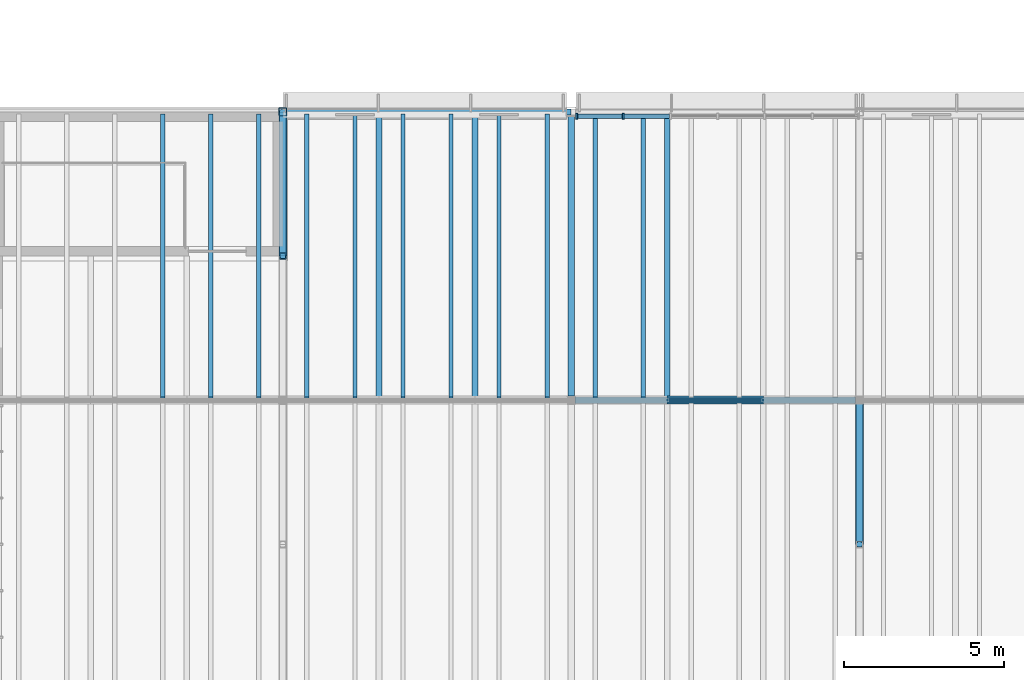
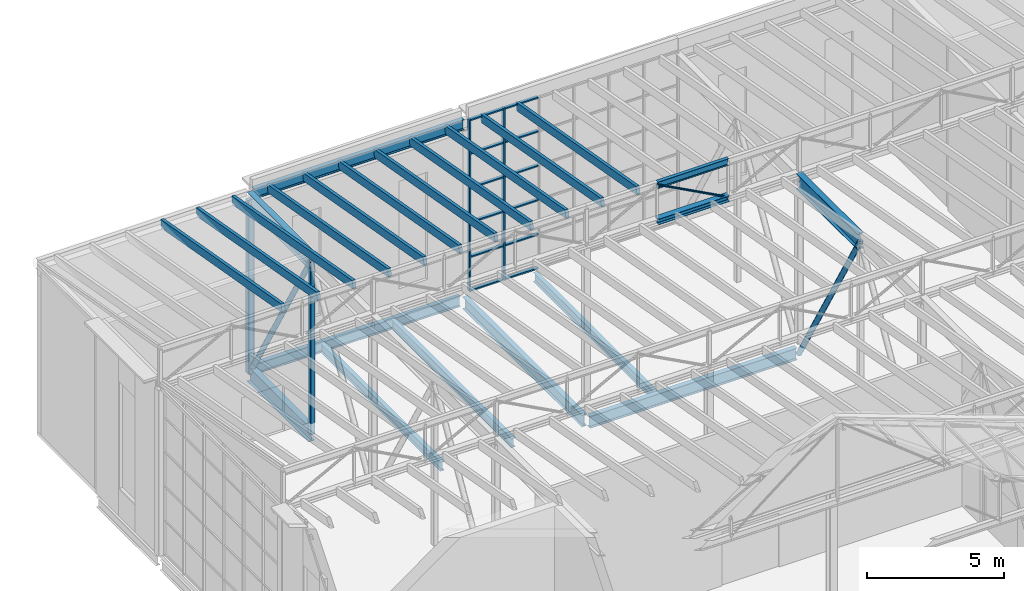
# One storey, part 43 of 90: 35 members, 7 beams, 1 element without a shape of its own.
"""IFC4 building model written with IfcOpenShell, lengths in metres."""

from ifc_helpers import new_model, si_unit, direction, frame, origin, origin_2d, place, context, subcontext, project, spatial, rectangle, hollow_rectangle, hollow_circle, i_section, extrude, material, layer, layer_set, material_profile, profile_set, type_object, element, aggregate, save


model = new_model("IFC4")

# Units and contexts
model_context = context("Model", 3, precision=1e-05, world=origin(), true_north=direction((0.0, 1.0)))
body_context = subcontext(model_context, "Body", "Model", "MODEL_VIEW")
ifc_project = project(units=[si_unit("LENGTHUNIT", "METRE"), si_unit("AREAUNIT", "SQUARE_METRE"), si_unit("VOLUMEUNIT", "CUBIC_METRE"), si_unit("PLANEANGLEUNIT", "RADIAN"), si_unit("MASSUNIT", "GRAM", prefix="KILO")], contexts=[model_context])

# Site, building, storey
site_placement = place(None, origin())
site = spatial("IfcSite", under=ifc_project, at=site_placement, CompositionType="ELEMENT")
building_placement = place(site_placement, origin())
building = spatial("IfcBuilding", under=site, at=building_placement, Name="Halyard Row Museum", CompositionType="ELEMENT")
storey_placement = place(building_placement, frame((0.0, 0.0, 13.39990234375)))
storey = spatial("IfcBuildingStorey", under=building, at=storey_placement, Name="L03", CompositionType="ELEMENT", Elevation=13.39990234375)

# Curtain wall, members
ifc_material_1 = material(Name="Double glazed unit, low-emissivity", Category="glass")
ifc_layer = layer(ifc_material_1, 0.179931640625)
ifc_layer_set = layer_set([ifc_layer], Name="Double glazed unit, low-emissivity")
curtain_wall_type = type_object("IfcCurtainWallType", Name="Curtain wall stick 180 deep", PredefinedType="NOTDEFINED", material=ifc_layer_set)
curtain_wall_placement = place(storey_placement, origin())
curtain_wall = element("IfcCurtainWall", 1, at=curtain_wall_placement, inside=storey, type_object=curtain_wall_type, Name="Curtain wall CW053", PredefinedType="NOTDEFINED")
ifc_material_2 = material(Name="Powder-coated aluminium section", Category="aluminium")
ifc_material_profile_1 = material_profile(ifc_material_2, rectangle(XDim=0.179931640625, YDim=0.06005859375, at=origin_2d()), Name="180x60 mullion")
ifc_profile_set_1 = profile_set([ifc_material_profile_1], Name="Powder-coated aluminium section")
member_type_1 = type_object("IfcMemberType", Name="Curtain wall mullion CM2 60 x 180", PredefinedType="MULLION", material=ifc_profile_set_1)
member_1_placement = place(storey_placement, frame((46.625, 44.860107421875, 0.0), z_axis=(0.0, 0.0, 1.0), x_axis=(0.0, -1.0, 0.0)))
member_1 = element("IfcMember", 2, at=member_1_placement, type_object=member_type_1, Name="CW053 mullion 6", PredefinedType="MULLION", context=body_context, shape_type="SweptSolid", body=[
    extrude(rectangle(XDim=0.179931640625, YDim=0.06005859375, at=origin_2d()), origin(), (0.0, 0.0, 1.0), 7.67822265625),
])
member_2_placement = place(storey_placement, frame((45.179931640625, 44.860107421875, 0.0), z_axis=(0.0, 0.0, 1.0), x_axis=(0.0, -1.0, 0.0)))
member_2 = element("IfcMember", 3, at=member_2_placement, type_object=member_type_1, Name="CW053 mullion 7", PredefinedType="MULLION", context=body_context, shape_type="SweptSolid", body=[
    extrude(rectangle(XDim=0.179931640625, YDim=0.06005859375, at=origin_2d()), origin(), (0.0, 0.0, 1.0), 7.67822265625),
])
ifc_material_3 = material(Name="Powder-coated aluminium section", Category="aluminium")
ifc_material_profile_2 = material_profile(ifc_material_3, rectangle(XDim=0.139892578125, YDim=0.06005859375, at=origin_2d()), Name="140x60 transom")
ifc_profile_set_2 = profile_set([ifc_material_profile_2], Name="Powder-coated aluminium section")
member_type_2 = type_object("IfcMemberType", Name="Curtain wall transom CT2 60 x 140", PredefinedType="USERDEFINED", material=ifc_profile_set_2)
member_3_placement = place(storey_placement, frame((48.070068359375, 44.860107421875, 0.030029296875), z_axis=(-1.0, 0.0, 0.0), x_axis=(0.0, -1.0, 0.0)))
member_3 = element("IfcMember", 4, at=member_3_placement, type_object=member_type_2, Name="CW053 transom 5.1", ObjectType="TRANSOM", PredefinedType="USERDEFINED", context=body_context, shape_type="SweptSolid", body=[
    extrude(rectangle(XDim=0.139892578125, YDim=0.06005859375, at=origin_2d()), origin(), (0.0, 0.0, 1.0), 1.4150390625),
])
member_4_placement = place(storey_placement, frame((48.070068359375, 44.860107421875, 1.53564453125), z_axis=(-1.0, 0.0, 0.0), x_axis=(0.0, -1.0, 0.0)))
member_4 = element("IfcMember", 5, at=member_4_placement, type_object=member_type_2, Name="CW053 transom 5.2", ObjectType="TRANSOM", PredefinedType="USERDEFINED", context=body_context, shape_type="SweptSolid", body=[
    extrude(rectangle(XDim=0.139892578125, YDim=0.06005859375, at=origin_2d()), origin(), (0.0, 0.0, 1.0), 1.4150390625),
])
member_5_placement = place(storey_placement, frame((48.070068359375, 44.860107421875, 3.0712890625), z_axis=(-1.0, 0.0, 0.0), x_axis=(0.0, -1.0, 0.0)))
member_5 = element("IfcMember", 6, at=member_5_placement, type_object=member_type_2, Name="CW053 transom 5.3", ObjectType="TRANSOM", PredefinedType="USERDEFINED", context=body_context, shape_type="SweptSolid", body=[
    extrude(rectangle(XDim=0.139892578125, YDim=0.06005859375, at=origin_2d()), origin(), (0.0, 0.0, 1.0), 1.4150390625),
])
member_6_placement = place(storey_placement, frame((48.070068359375, 44.860107421875, 4.60693359375), z_axis=(-1.0, 0.0, 0.0), x_axis=(0.0, -1.0, 0.0)))
member_6 = element("IfcMember", 7, at=member_6_placement, type_object=member_type_2, Name="CW053 transom 5.4", ObjectType="TRANSOM", PredefinedType="USERDEFINED", context=body_context, shape_type="SweptSolid", body=[
    extrude(rectangle(XDim=0.139892578125, YDim=0.06005859375, at=origin_2d()), origin(), (0.0, 0.0, 1.0), 1.4150390625),
])
member_7_placement = place(storey_placement, frame((48.070068359375, 44.860107421875, 6.142578125), z_axis=(-1.0, 0.0, 0.0), x_axis=(0.0, -1.0, 0.0)))
member_7 = element("IfcMember", 8, at=member_7_placement, type_object=member_type_2, Name="CW053 transom 5.5", ObjectType="TRANSOM", PredefinedType="USERDEFINED", context=body_context, shape_type="SweptSolid", body=[
    extrude(rectangle(XDim=0.139892578125, YDim=0.06005859375, at=origin_2d()), origin(), (0.0, 0.0, 1.0), 1.4150390625),
])
member_8_placement = place(storey_placement, frame((48.070068359375, 44.860107421875, 7.648193359375), z_axis=(-1.0, 0.0, 0.0), x_axis=(0.0, -1.0, 0.0)))
member_8 = element("IfcMember", 9, at=member_8_placement, type_object=member_type_2, Name="CW053 transom 5.6", ObjectType="TRANSOM", PredefinedType="USERDEFINED", context=body_context, shape_type="SweptSolid", body=[
    extrude(rectangle(XDim=0.139892578125, YDim=0.06005859375, at=origin_2d()), origin(), (0.0, 0.0, 1.0), 1.4150390625),
])
member_9_placement = place(storey_placement, frame((46.594970703125, 44.860107421875, 0.030029296875), z_axis=(-1.0, 0.0, 0.0), x_axis=(0.0, -1.0, 0.0)))
member_9 = element("IfcMember", 10, at=member_9_placement, type_object=member_type_2, Name="CW053 transom 6.1", ObjectType="TRANSOM", PredefinedType="USERDEFINED", context=body_context, shape_type="SweptSolid", body=[
    extrude(rectangle(XDim=0.139892578125, YDim=0.06005859375, at=origin_2d()), origin(), (0.0, 0.0, 1.0), 1.385009765625),
])
member_10_placement = place(storey_placement, frame((46.594970703125, 44.860107421875, 1.53564453125), z_axis=(-1.0, 0.0, 0.0), x_axis=(0.0, -1.0, 0.0)))
member_10 = element("IfcMember", 11, at=member_10_placement, type_object=member_type_2, Name="CW053 transom 6.2", ObjectType="TRANSOM", PredefinedType="USERDEFINED", context=body_context, shape_type="SweptSolid", body=[
    extrude(rectangle(XDim=0.139892578125, YDim=0.06005859375, at=origin_2d()), origin(), (0.0, 0.0, 1.0), 1.385009765625),
])
member_11_placement = place(storey_placement, frame((46.594970703125, 44.860107421875, 3.0712890625), z_axis=(-1.0, 0.0, 0.0), x_axis=(0.0, -1.0, 0.0)))
member_11 = element("IfcMember", 12, at=member_11_placement, type_object=member_type_2, Name="CW053 transom 6.3", ObjectType="TRANSOM", PredefinedType="USERDEFINED", context=body_context, shape_type="SweptSolid", body=[
    extrude(rectangle(XDim=0.139892578125, YDim=0.06005859375, at=origin_2d()), origin(), (0.0, 0.0, 1.0), 1.385009765625),
])
member_12_placement = place(storey_placement, frame((46.594970703125, 44.860107421875, 4.60693359375), z_axis=(-1.0, 0.0, 0.0), x_axis=(0.0, -1.0, 0.0)))
member_12 = element("IfcMember", 13, at=member_12_placement, type_object=member_type_2, Name="CW053 transom 6.4", ObjectType="TRANSOM", PredefinedType="USERDEFINED", context=body_context, shape_type="SweptSolid", body=[
    extrude(rectangle(XDim=0.139892578125, YDim=0.06005859375, at=origin_2d()), origin(), (0.0, 0.0, 1.0), 1.385009765625),
])
member_13_placement = place(storey_placement, frame((46.594970703125, 44.860107421875, 6.142578125), z_axis=(-1.0, 0.0, 0.0), x_axis=(0.0, -1.0, 0.0)))
member_13 = element("IfcMember", 14, at=member_13_placement, type_object=member_type_2, Name="CW053 transom 6.5", ObjectType="TRANSOM", PredefinedType="USERDEFINED", context=body_context, shape_type="SweptSolid", body=[
    extrude(rectangle(XDim=0.139892578125, YDim=0.06005859375, at=origin_2d()), origin(), (0.0, 0.0, 1.0), 1.385009765625),
])
member_14_placement = place(storey_placement, frame((46.594970703125, 44.860107421875, 7.648193359375), z_axis=(-1.0, 0.0, 0.0), x_axis=(0.0, -1.0, 0.0)))
member_14 = element("IfcMember", 15, at=member_14_placement, type_object=member_type_2, Name="CW053 transom 6.6", ObjectType="TRANSOM", PredefinedType="USERDEFINED", context=body_context, shape_type="SweptSolid", body=[
    extrude(rectangle(XDim=0.139892578125, YDim=0.06005859375, at=origin_2d()), origin(), (0.0, 0.0, 1.0), 1.385009765625),
])
aggregate(curtain_wall, [member_1, member_2, member_3, member_4, member_5, member_6, member_7, member_8, member_9, member_10, member_11, member_12, member_13, member_14])

# Beams
ifc_material_4 = material(Name="Steel Grade 300", Category="steel")
ifc_material_profile_3 = material_profile(ifc_material_4, i_section(OverallWidth=0.19091796875, OverallDepth=0.46044921875, WebThickness=0.010009765625, FlangeThickness=0.01611328125, FilletRadius=0.011474609375, at=origin_2d()), Name="460UB82.1")
ifc_profile_set_3 = profile_set([ifc_material_profile_3], Name="Steel Grade 300")
beam_type_1 = type_object("IfcBeamType", Name="Eave girder 460UB82.1", PredefinedType="BEAM", material=ifc_profile_set_3)
beam_1_placement = place(storey_placement, frame((36.125, 45.0, 7.449951171875), z_axis=(1.0, 0.0, 0.0), x_axis=(0.0, 1.0, 0.0)))
element("IfcBeam", 16, at=beam_1_placement, inside=storey, type_object=beam_type_1, Name="V1 eave girder 4.2", PredefinedType="BEAM", context=body_context, shape_type="SweptSolid", body=[
    extrude(i_section(OverallWidth=0.19091796875, OverallDepth=0.46044921875, WebThickness=0.010009765625, FlangeThickness=0.01611328125, FilletRadius=0.011474609375, at=origin_2d()), origin(), (0.0, 0.0, 1.0), 8.875),
])
ifc_material_5 = material(Name="Steel Grade 300", Category="steel")
ifc_material_profile_4 = material_profile(ifc_material_5, i_section(OverallWidth=0.18994140625, OverallDepth=0.45751953125, WebThickness=0.009033203125, FlangeThickness=0.014404296875, FilletRadius=0.011474609375, at=origin_2d()), Name="460UB74.6")
ifc_profile_set_4 = profile_set([ifc_material_profile_4], Name="Steel Grade 300")
beam_type_2 = type_object("IfcBeamType", Name="Edge beam 460UB74.6", PredefinedType="BEAM", material=ifc_profile_set_4)
beam_2_placement = place(storey_placement, frame((36.125, 45.0, -0.3935546875), z_axis=(1.0, 0.0, 0.0), x_axis=(0.0, 1.0, 0.0)))
element("IfcBeam", 17, at=beam_2_placement, inside=storey, type_object=beam_type_2, Name="Beam L03-036", PredefinedType="BEAM", context=body_context, shape_type="SweptSolid", body=[
    extrude(i_section(OverallWidth=0.18994140625, OverallDepth=0.45751953125, WebThickness=0.009033203125, FlangeThickness=0.014404296875, FilletRadius=0.011474609375, at=origin_2d()), origin(), (0.0, 0.0, 1.0), 8.72509765625),
])
ifc_material_6 = material(Name="Steel Grade 300", Category="steel")
ifc_material_profile_5 = material_profile(ifc_material_6, i_section(OverallWidth=0.208984375, OverallDepth=0.532958984375, WebThickness=0.01025390625, FlangeThickness=0.015625, FilletRadius=0.013916015625, at=origin_2d()), Name="530UB92.4")
ifc_profile_set_5 = profile_set([ifc_material_profile_5], Name="Steel Grade 300")
beam_type_3 = type_object("IfcBeamType", Name="Girder beam 530UB92.4", PredefinedType="BEAM", material=ifc_profile_set_5)
beam_3_placement = place(storey_placement, frame((45.126953125, 36.0, -0.431396484375), z_axis=(1.0, 0.0, 0.0), x_axis=(0.0, 1.0, 0.0)))
element("IfcBeam", 18, at=beam_3_placement, inside=storey, type_object=beam_type_3, Name="Beam L03-029", PredefinedType="BEAM", context=body_context, shape_type="SweptSolid", body=[
    extrude(i_section(OverallWidth=0.208984375, OverallDepth=0.532958984375, WebThickness=0.01025390625, FlangeThickness=0.015625, FilletRadius=0.013916015625, at=origin_2d()), origin(), (0.0, 0.0, 1.0), 8.748046875),
])
beam_4_placement = place(storey_placement, frame((45.0, 36.126953125, -0.431396484375), z_axis=(0.0, 1.0, 0.0), x_axis=(-1.0, 0.0, 0.0)))
element("IfcBeam", 19, at=beam_4_placement, inside=storey, type_object=beam_type_3, Name="Beam L03-048", PredefinedType="BEAM", context=body_context, shape_type="SweptSolid", body=[
    extrude(i_section(OverallWidth=0.208984375, OverallDepth=0.532958984375, WebThickness=0.01025390625, FlangeThickness=0.015625, FilletRadius=0.013916015625, at=origin_2d()), origin(), (0.0, 0.0, 1.0), 8.72314453125),
])

# Members
ifc_material_7 = material(Name="Glulam GL12 radiata pine", Category="wood")
ifc_material_profile_6 = material_profile(ifc_material_7, rectangle(XDim=0.135009765625, YDim=0.360107421875, at=origin_2d()), Name="GL12 135x360")
ifc_profile_set_6 = profile_set([ifc_material_profile_6], Name="Glulam GL12 radiata pine")
member_type_3 = type_object("IfcMemberType", Name="Rafter GL12 135x360", PredefinedType="RAFTER", material=ifc_profile_set_6)
for number, where, z_axis, x_axis, name in (
    (20, (32.25, 36.074462890625, 9.083984375), (0.0, 0.984561882288, -0.175036853105), (-1.0, 0.0, 0.0), "Rafter V1-T3a.4"),
    (21, (33.75, 36.074462890625, 9.083984375), (0.0, 0.984561882288, -0.175036853105), (-1.0, 0.0, 0.0), "Rafter V1-T3a.5"),
    (22, (35.25, 36.074462890625, 9.083984375), (0.0, 0.984561882288, -0.175036853105), (-1.0, 0.0, 0.0), "Rafter V1-T3a.6"),
    (23, (36.75, 36.074462890625, 9.083984375), (0.0, 0.984561882288, -0.175036853105), (-1.0, 0.0, 0.0), "Rafter V1-T3a.7"),
    (24, (38.25, 36.074462890625, 9.083984375), (0.0, 0.984561882288, -0.175036853105), (-1.0, 0.0, 0.0), "Rafter V1-T3a.8"),
    (25, (39.75, 36.074462890625, 9.083984375), (0.0, 0.984561882288, -0.175036853105), (-1.0, 0.0, 0.0), "Rafter V1-T3a.9"),
    (26, (41.25, 36.074462890625, 9.083984375), (0.0, 0.984561882288, -0.175036853105), (-1.0, 0.0, 0.0), "Rafter V1-T3a.10"),
    (27, (42.75, 36.074462890625, 9.083984375), (0.0, 0.984561882288, -0.175036853105), (-1.0, 0.0, 0.0), "Rafter V1-T3a.11"),
    (28, (44.25, 36.074462890625, 9.083984375), (0.0, 0.984561882288, -0.175036853105), (-1.0, 0.0, 0.0), "Rafter V1-T3a.12"),
    (29, (45.75, 36.074462890625, 9.083984375), (0.0, 0.984561882288, -0.175036853105), (-1.0, 0.0, 0.0), "Rafter V1-T3a.13"),
    (30, (47.25, 36.074462890625, 9.083984375), (0.0, 0.984561882288, -0.175036853105), (-1.0, 0.0, 0.0), "Rafter V1-T3a.14"),
):
    element("IfcMember", number, at=place(storey_placement, frame(where, z_axis=z_axis, x_axis=x_axis)), inside=storey, type_object=member_type_3, Name=name, PredefinedType="RAFTER", context=body_context, shape_type="SweptSolid", body=[
        extrude(rectangle(XDim=0.135009765625, YDim=0.360107421875, at=origin_2d()), origin(), (0.0, 0.0, 1.0), 8.968505859375),
    ])

# Beams
ifc_material_8 = material(Name="Steel Grade 300", Category="steel")
ifc_material_profile_7 = material_profile(ifc_material_8, i_section(OverallWidth=0.177978515625, OverallDepth=0.406494140625, WebThickness=0.0078125, FlangeThickness=0.0126953125, FilletRadius=0.011474609375, at=origin_2d()), Name="410UB59.7")
ifc_profile_set_7 = profile_set([ifc_material_profile_7], Name="Steel Grade 300")
beam_type_4 = type_object("IfcBeamType", Name="Secondary beam 410UB59.7", PredefinedType="BEAM", material=ifc_profile_set_7)
for number, where, z_axis, x_axis, name in (
    (31, (39.0, 36.1044921875, -0.3681640625), (0.0, 1.0, 0.0), (-1.0, 0.0, 0.0), "Beam L03-125"),
    (32, (42.0, 36.1044921875, -0.3681640625), (0.0, 1.0, 0.0), (-1.0, 0.0, 0.0), "Beam L03-126"),
    (33, (48.0, 36.1044921875, -0.3681640625), (0.0, 1.0, 0.0), (-1.0, 0.0, 0.0), "Beam L03-127"),
):
    element("IfcBeam", number, at=place(storey_placement, frame(where, z_axis=z_axis, x_axis=x_axis)), inside=storey, type_object=beam_type_4, Name=name, PredefinedType="BEAM", context=body_context, shape_type="SweptSolid", body=[
        extrude(i_section(OverallWidth=0.177978515625, OverallDepth=0.406494140625, WebThickness=0.0078125, FlangeThickness=0.0126953125, FilletRadius=0.011474609375, at=origin_2d()), origin(), (0.0, 0.0, 1.0), 8.800537109375),
    ])

# Members
ifc_material_9 = material(Name="Steel Grade 300", Category="steel")
ifc_material_profile_8 = material_profile(ifc_material_9, i_section(OverallWidth=0.25, OverallDepth=0.699951171875, WebThickness=0.010009765625, FlangeThickness=0.02001953125, at=origin_2d()), Name="700WB130")
ifc_profile_set_8 = profile_set([ifc_material_profile_8], Name="Steel Grade 300")
member_type_4 = type_object("IfcMemberType", Name="Transfer truss chord 700WB130 bottom", PredefinedType="CHORD", material=ifc_profile_set_8)
member_15_placement = place(storey_placement, frame((36.0, 40.5, -0.514892578125), z_axis=(0.0, 1.0, 0.0), x_axis=(-1.0, 0.0, 0.0)))
element("IfcMember", 34, at=member_15_placement, inside=storey, type_object=member_type_4, Name="TT1 bottom chord 10", PredefinedType="CHORD", context=body_context, shape_type="SweptSolid", body=[
    extrude(i_section(OverallWidth=0.25, OverallDepth=0.699951171875, WebThickness=0.010009765625, FlangeThickness=0.02001953125, at=origin_2d()), origin(), (0.0, 0.0, 1.0), 4.5),
])
ifc_material_10 = material(Name="Steel Grade 300", Category="steel")
ifc_material_profile_9 = material_profile(ifc_material_10, i_section(OverallWidth=0.25, OverallDepth=0.699951171875, WebThickness=0.010009765625, FlangeThickness=0.02001953125, at=origin_2d()), Name="700WB130")
ifc_profile_set_9 = profile_set([ifc_material_profile_9], Name="Steel Grade 300")
member_type_5 = type_object("IfcMemberType", Name="Transfer truss chord 700WB130 top", PredefinedType="CHORD", material=ifc_profile_set_9)
for number, where, z_axis, x_axis, name in (
    (35, (36.0, 40.5, 7.22998046875), (0.0, 1.0, 0.0), (-1.0, 0.0, 0.0), "TT1 top chord 10"),
    (36, (54.0, 31.5, 7.22998046875), (0.0, 1.0, 0.0), (-1.0, 0.0, 0.0), "TT2 top chord 8"),
):
    element("IfcMember", number, at=place(storey_placement, frame(where, z_axis=z_axis, x_axis=x_axis)), inside=storey, type_object=member_type_5, Name=name, PredefinedType="CHORD", context=body_context, shape_type="SweptSolid", body=[
        extrude(i_section(OverallWidth=0.25, OverallDepth=0.699951171875, WebThickness=0.010009765625, FlangeThickness=0.02001953125, at=origin_2d()), origin(), (0.0, 0.0, 1.0), 4.5),
    ])
ifc_material_11 = material(Name="Steel Grade C350L0", Category="steel")
ifc_material_profile_10 = material_profile(ifc_material_11, hollow_circle(Radius=0.109619140625, WallThickness=0.00830078125, at=origin_2d()), Name="219.1x8.2CHS")
ifc_profile_set_10 = profile_set([ifc_material_profile_10], Name="Steel Grade C350L0")
member_type_6 = type_object("IfcMemberType", Name="Transfer truss diagonal 219.1x8.2CHS", PredefinedType="BRACE", material=ifc_profile_set_10)
for number, where, z_axis, x_axis, name in (
    (37, (36.0, 40.5, 7.22998046875), (0.0, 0.502384046634, -0.864644591545), (-1.0, 0.0, 0.0), "TT1 diagonal 10"),
    (38, (54.0, 31.5, 7.22998046875), (0.0, 0.502384046634, -0.864644591545), (-1.0, 0.0, 0.0), "TT2 diagonal 8"),
):
    element("IfcMember", number, at=place(storey_placement, frame(where, z_axis=z_axis, x_axis=x_axis)), inside=storey, type_object=member_type_6, Name=name, PredefinedType="BRACE", context=body_context, shape_type="SweptSolid", body=[
        extrude(hollow_circle(Radius=0.109619140625, WallThickness=0.00830078125, at=origin_2d()), origin(), (0.0, 0.0, 1.0), 8.957275390625),
    ])
ifc_material_12 = material(Name="Steel Grade C350L0", Category="steel")
ifc_material_profile_11 = material_profile(ifc_material_12, hollow_rectangle(XDim=0.199951171875, YDim=0.199951171875, WallThickness=0.009033203125, InnerFilletRadius=0.013427734375, OuterFilletRadius=0.0224609375, at=origin_2d()), Name="200x200x9.0SHS")
ifc_profile_set_11 = profile_set([ifc_material_profile_11], Name="Steel Grade C350L0")
member_type_7 = type_object("IfcMemberType", Name="Transfer truss post 200x200x9.0SHS", PredefinedType="POST", material=ifc_profile_set_11)
member_16_placement = place(storey_placement, frame((36.0, 40.5, -0.514892578125), z_axis=(0.0, 0.0, 1.0), x_axis=(1.0, 0.0, 0.0)))
element("IfcMember", 39, at=member_16_placement, inside=storey, type_object=member_type_7, Name="TT1 post 10", PredefinedType="POST", context=body_context, shape_type="SweptSolid", body=[
    extrude(hollow_rectangle(XDim=0.199951171875, YDim=0.199951171875, WallThickness=0.009033203125, InnerFilletRadius=0.013427734375, OuterFilletRadius=0.0224609375, at=origin_2d()), origin(), (0.0, 0.0, 1.0), 7.744873046875),
])
ifc_material_13 = material(Name="Steel Grade C350L0", Category="steel")
ifc_material_profile_12 = material_profile(ifc_material_13, hollow_rectangle(XDim=0.25, YDim=0.25, WallThickness=0.012451171875, InnerFilletRadius=0.018798828125, OuterFilletRadius=0.03125, at=origin_2d()), Name="250x250x12.5SHS")
ifc_profile_set_12 = profile_set([ifc_material_profile_12], Name="Steel Grade C350L0")
member_type_8 = type_object("IfcMemberType", Name="Transfer truss post 250x250x12.5SHS", PredefinedType="POST", material=ifc_profile_set_12)
member_17_placement = place(storey_placement, frame((36.0, 45.0, -0.514892578125), z_axis=(0.0, 0.0, 1.0), x_axis=(1.0, 0.0, 0.0)))
element("IfcMember", 40, at=member_17_placement, inside=storey, type_object=member_type_8, Name="TT1 post 11", PredefinedType="POST", context=body_context, shape_type="SweptSolid", body=[
    extrude(hollow_rectangle(XDim=0.25, YDim=0.25, WallThickness=0.012451171875, InnerFilletRadius=0.018798828125, OuterFilletRadius=0.03125, at=origin_2d()), origin(), (0.0, 0.0, 1.0), 7.744873046875),
])
ifc_material_14 = material(Name="Steel Grade 300", Category="steel")
ifc_material_profile_13 = material_profile(ifc_material_14, i_section(OverallWidth=0.25390625, OverallDepth=0.25390625, WebThickness=0.008544921875, FlangeThickness=0.01416015625, FilletRadius=0.013916015625, at=origin_2d()), Name="250UC72.9")
ifc_profile_set_13 = profile_set([ifc_material_profile_13], Name="Steel Grade 300")
member_type_9 = type_object("IfcMemberType", Name="Valley truss bottom chord 250UC72.9", PredefinedType="CHORD", material=ifc_profile_set_13)
member_18_placement = place(storey_placement, frame((48.0, 36.0, 7.527099609375), z_axis=(1.0, 0.0, 0.0), x_axis=(0.0, 1.0, 0.0)))
element("IfcMember", 41, at=member_18_placement, inside=storey, type_object=member_type_9, Name="V1-VT3 bottom chord 3.2", PredefinedType="CHORD", context=body_context, shape_type="SweptSolid", body=[
    extrude(i_section(OverallWidth=0.25390625, OverallDepth=0.25390625, WebThickness=0.008544921875, FlangeThickness=0.01416015625, FilletRadius=0.013916015625, at=origin_2d()), origin(), (0.0, 0.0, 1.0), 3.0),
])
ifc_material_15 = material(Name="Steel Grade C250L0", Category="steel")
ifc_material_profile_14 = material_profile(ifc_material_15, hollow_circle(Radius=0.04443359375, WallThickness=0.0048828125, at=origin_2d()), Name="88.9x5.0CHS")
ifc_profile_set_14 = profile_set([ifc_material_profile_14], Name="Steel Grade C250L0")
member_type_10 = type_object("IfcMemberType", Name="Valley truss diagonal 88.9x5.0CHS", PredefinedType="BRACE", material=ifc_profile_set_14)
member_19_placement = place(storey_placement, frame((48.0, 36.0, 9.131103515625), z_axis=(0.881863759518, 0.0, -0.471504305016), x_axis=(0.0, 1.0, 0.0)))
element("IfcMember", 42, at=member_19_placement, inside=storey, type_object=member_type_10, Name="V1-VT3 diagonal 3.2", PredefinedType="BRACE", context=body_context, shape_type="SweptSolid", body=[
    extrude(hollow_circle(Radius=0.04443359375, WallThickness=0.0048828125, at=origin_2d()), origin(), (0.0, 0.0, 1.0), 3.40185546875),
])
ifc_material_16 = material(Name="Steel Grade 300", Category="steel")
ifc_material_profile_15 = material_profile(ifc_material_16, i_section(OverallWidth=0.14892578125, OverallDepth=0.298095703125, WebThickness=0.005615234375, FlangeThickness=0.008056640625, FilletRadius=0.012939453125, at=origin_2d()), Name="310UB32.0")
ifc_profile_set_15 = profile_set([ifc_material_profile_15], Name="Steel Grade 300")
member_type_11 = type_object("IfcMemberType", Name="Valley truss top chord 310UB32.0", PredefinedType="CHORD", material=ifc_profile_set_15)
member_20_placement = place(storey_placement, frame((48.0, 36.0, 9.131103515625), z_axis=(1.0, 0.0, 0.0), x_axis=(0.0, 1.0, 0.0)))
element("IfcMember", 43, at=member_20_placement, inside=storey, type_object=member_type_11, Name="V1-VT3 top chord 3.2", PredefinedType="CHORD", context=body_context, shape_type="SweptSolid", body=[
    extrude(i_section(OverallWidth=0.14892578125, OverallDepth=0.298095703125, WebThickness=0.005615234375, FlangeThickness=0.008056640625, FilletRadius=0.012939453125, at=origin_2d()), origin(), (0.0, 0.0, 1.0), 3.0),
])

save(model, "model.ifc")
